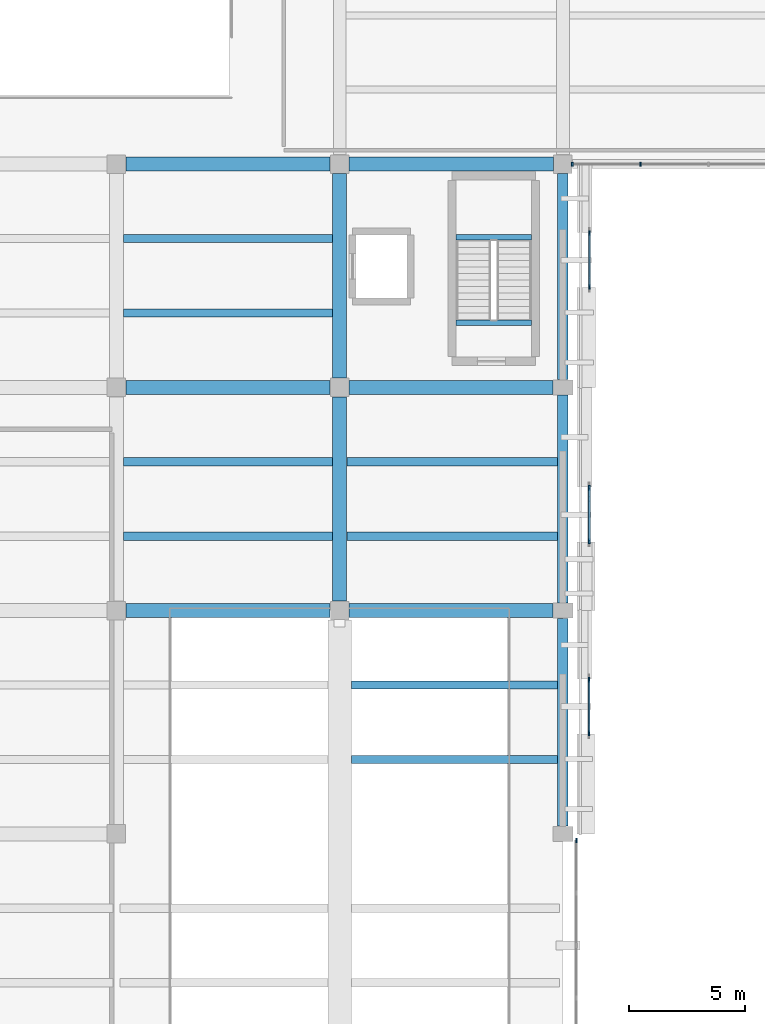
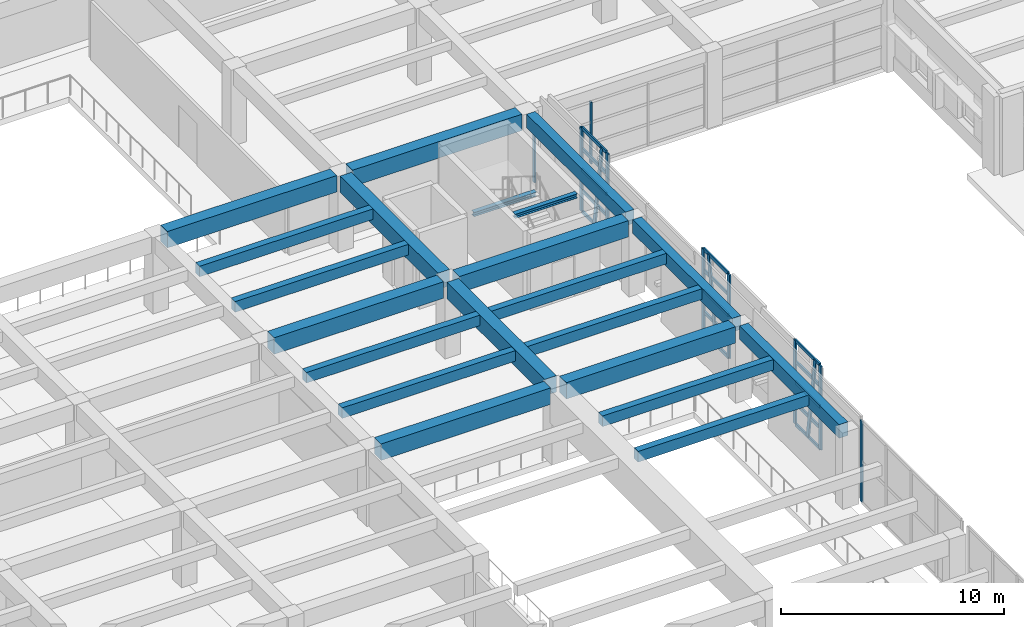
# One storey, part 13 of 49: 27 members, 21 beams, 5 elements without a shape of their own.
"""IFC4 building model written with IfcOpenShell, lengths in metres."""

from ifc_helpers import new_model, si_unit, direction, frame, origin, origin_2d, place, context, subcontext, project, spatial, rectangle, i_section, extrude, material, layer, layer_set, material_profile, profile_set, type_object, element, aggregate, save


model = new_model("IFC4")

# Units and contexts
model_context = context("Model", 3, precision=1e-05, world=origin(), true_north=direction((0.0, 1.0)))
body_context = subcontext(model_context, "Body", "Model", "MODEL_VIEW")
ifc_project = project(units=[si_unit("LENGTHUNIT", "METRE"), si_unit("AREAUNIT", "SQUARE_METRE"), si_unit("VOLUMEUNIT", "CUBIC_METRE"), si_unit("PLANEANGLEUNIT", "RADIAN"), si_unit("MASSUNIT", "GRAM", prefix="KILO")], contexts=[model_context])

# Site, building, storey
site_placement = place(None, origin())
site = spatial("IfcSite", under=ifc_project, at=site_placement, CompositionType="ELEMENT")
building_placement = place(site_placement, origin())
building = spatial("IfcBuilding", under=site, at=building_placement, Name="Bempovik Park Faculty of Sciences", CompositionType="ELEMENT")
storey_placement = place(building_placement, frame((0.0, 0.0, 5.39990234375)))
storey = spatial("IfcBuildingStorey", under=building, at=storey_placement, Name="L01", CompositionType="ELEMENT", Elevation=5.39990234375)

# Beams
ifc_material_1 = material(Name="Steel S355", Category="steel")
ifc_material_profile_1 = material_profile(ifc_material_1, i_section(OverallWidth=0.239990234375, OverallDepth=0.22998046875, WebThickness=0.007568359375, FlangeThickness=0.011962890625, at=origin_2d()), Name="HEA 240")
ifc_profile_set_1 = profile_set([ifc_material_profile_1], Name="Steel S355")
beam_type_1 = type_object("IfcBeamType", Name="B-070 HEA 240", PredefinedType="BEAM", material=ifc_profile_set_1)
for number, where, z_axis, x_axis, name in (
    (1, (113.006103515625, 64.64990234375, 1.93505859375), (1.0, 0.0, 0.0), (0.0, 1.0, 0.0), "L01 ST-5 Half-Landing Trimmer Beam"),
    (2, (113.006103515625, 60.97509765625, 4.065185546875), (1.0, 0.0, 0.0), (0.0, 1.0, 0.0), "L02 ST-5 Floor Landing Trimmer Beam"),
):
    element("IfcBeam", number, at=place(storey_placement, frame(where, z_axis=z_axis, x_axis=x_axis)), inside=storey, type_object=beam_type_1, Name=name, PredefinedType="BEAM", context=body_context, shape_type="SweptSolid", body=[
        extrude(i_section(OverallWidth=0.239990234375, OverallDepth=0.22998046875, WebThickness=0.007568359375, FlangeThickness=0.011962890625, at=origin_2d()), origin(), (0.0, 0.0, 1.0), 3.23779296875),
    ])
ifc_material_2 = material(Name="Concrete C35/45", Category="concrete")
ifc_material_profile_2 = material_profile(ifc_material_2, rectangle(XDim=0.35009765625, YDim=0.580078125, at=origin_2d()), Name="RC 350x580")
ifc_profile_set_2 = profile_set([ifc_material_profile_2], Name="Concrete C35/45")
beam_type_2 = type_object("IfcBeamType", Name="B-107 RC 350x580", PredefinedType="JOIST", material=ifc_profile_set_2)
for number, where, z_axis, x_axis, name in (
    (3, (98.7060546875, 51.800048828125, 3.89013671875), (1.0, 0.0, 0.0), (0.0, 1.0, 0.0), "L01 Secondary Joist (98.4-108.0, y=51.80)"),
    (4, (98.7060546875, 55.0, 3.89013671875), (1.0, 0.0, 0.0), (0.0, 1.0, 0.0), "L01 Secondary Joist (98.4-108.0, y=55.00)"),
    (5, (98.7060546875, 61.39990234375, 3.89013671875), (1.0, 0.0, 0.0), (0.0, 1.0, 0.0), "L01 Secondary Joist (98.4-108.0, y=61.40)"),
    (6, (98.7060546875, 64.60009765625, 3.89013671875), (1.0, 0.0, 0.0), (0.0, 1.0, 0.0), "L01 Secondary Joist (98.4-108.0, y=64.60)"),
):
    element("IfcBeam", number, at=place(storey_placement, frame(where, z_axis=z_axis, x_axis=x_axis)), inside=storey, type_object=beam_type_2, Name=name, PredefinedType="JOIST", context=body_context, shape_type="SweptSolid", body=[
        extrude(rectangle(XDim=0.35009765625, YDim=0.580078125, at=origin_2d()), origin(), (0.0, 0.0, 1.0), 8.988037109375),
    ])
for number, where, z_axis, x_axis, name in (
    (7, (108.506103515625, 42.199951171875, 3.89013671875), (1.0, 0.0, 0.0), (0.0, 1.0, 0.0), "L01 Secondary Joist (108.0-117.6, y=42.20)"),
    (8, (108.506103515625, 45.39990234375, 3.89013671875), (1.0, 0.0, 0.0), (0.0, 1.0, 0.0), "L01 Secondary Joist (108.0-117.6, y=45.40)"),
):
    element("IfcBeam", number, at=place(storey_placement, frame(where, z_axis=z_axis, x_axis=x_axis)), inside=storey, type_object=beam_type_2, Name=name, PredefinedType="JOIST", context=body_context, shape_type="SweptSolid", body=[
        extrude(rectangle(XDim=0.35009765625, YDim=0.580078125, at=origin_2d()), origin(), (0.0, 0.0, 1.0), 8.86279296875),
    ])
for number, where, z_axis, x_axis, name in (
    (9, (108.305908203125, 51.800048828125, 3.89013671875), (1.0, 0.0, 0.0), (0.0, 1.0, 0.0), "L01 Secondary Joist (108.0-117.6, y=51.80)"),
    (10, (108.305908203125, 55.0, 3.89013671875), (1.0, 0.0, 0.0), (0.0, 1.0, 0.0), "L01 Secondary Joist (108.0-117.6, y=55.00)"),
):
    element("IfcBeam", number, at=place(storey_placement, frame(where, z_axis=z_axis, x_axis=x_axis)), inside=storey, type_object=beam_type_2, Name=name, PredefinedType="JOIST", context=body_context, shape_type="SweptSolid", body=[
        extrude(rectangle(XDim=0.35009765625, YDim=0.580078125, at=origin_2d()), origin(), (0.0, 0.0, 1.0), 9.06298828125),
    ])
ifc_material_3 = material(Name="Concrete C40/50", Category="concrete")
ifc_material_profile_3 = material_profile(ifc_material_3, rectangle(XDim=0.60009765625, YDim=0.89990234375, at=origin_2d()), Name="RC 600x900")
ifc_profile_set_3 = profile_set([ifc_material_profile_3], Name="Concrete C40/50")
beam_type_3 = type_object("IfcBeamType", Name="B-115 RC 600x900", PredefinedType="BEAM", material=ifc_profile_set_3)
beam_1_placement = place(storey_placement, frame((98.805908203125, 48.60009765625, 3.72998046875), z_axis=(1.0, 0.0, 0.0), x_axis=(0.0, 1.0, 0.0)))
element("IfcBeam", 11, at=beam_1_placement, inside=storey, type_object=beam_type_3, Name="L01 Beam X (98.4-108.0, y=48.6)", PredefinedType="BEAM", context=body_context, shape_type="SweptSolid", body=[
    extrude(rectangle(XDim=0.60009765625, YDim=0.89990234375, at=origin_2d()), origin(), (0.0, 0.0, 1.0), 8.7880859375),
])
beam_2_placement = place(storey_placement, frame((108.406005859375, 48.60009765625, 3.72998046875), z_axis=(1.0, 0.0, 0.0), x_axis=(0.0, 1.0, 0.0)))
element("IfcBeam", 12, at=beam_2_placement, inside=storey, type_object=beam_type_3, Name="L01 Beam X (108.0-117.6, y=48.6)", PredefinedType="BEAM", context=body_context, shape_type="SweptSolid", body=[
    extrude(rectangle(XDim=0.60009765625, YDim=0.89990234375, at=origin_2d()), origin(), (0.0, 0.0, 1.0), 8.762939453125),
])
beam_3_placement = place(storey_placement, frame((98.805908203125, 58.199951171875, 3.72998046875), z_axis=(1.0, 0.0, 0.0), x_axis=(0.0, 1.0, 0.0)))
element("IfcBeam", 13, at=beam_3_placement, inside=storey, type_object=beam_type_3, Name="L01 Beam X (98.4-108.0, y=58.2)", PredefinedType="BEAM", context=body_context, shape_type="SweptSolid", body=[
    extrude(rectangle(XDim=0.60009765625, YDim=0.89990234375, at=origin_2d()), origin(), (0.0, 0.0, 1.0), 8.7880859375),
])
beam_4_placement = place(storey_placement, frame((108.406005859375, 58.199951171875, 3.72998046875), z_axis=(1.0, 0.0, 0.0), x_axis=(0.0, 1.0, 0.0)))
element("IfcBeam", 14, at=beam_4_placement, inside=storey, type_object=beam_type_3, Name="L01 Beam X (108.0-117.6, y=58.2)", PredefinedType="BEAM", context=body_context, shape_type="SweptSolid", body=[
    extrude(rectangle(XDim=0.60009765625, YDim=0.89990234375, at=origin_2d()), origin(), (0.0, 0.0, 1.0), 8.762939453125),
])
for number, where, z_axis, x_axis, name in (
    (15, (98.805908203125, 67.800048828125, 3.72998046875), (1.0, 0.0, 0.0), (0.0, 1.0, 0.0), "L01 Beam X (98.4-108.0, y=67.8)"),
    (16, (108.406005859375, 67.800048828125, 3.72998046875), (1.0, 0.0, 0.0), (0.0, 1.0, 0.0), "L01 Beam X (108.0-117.6, y=67.8)"),
):
    element("IfcBeam", number, at=place(storey_placement, frame(where, z_axis=z_axis, x_axis=x_axis)), inside=storey, type_object=beam_type_3, Name=name, PredefinedType="BEAM", context=body_context, shape_type="SweptSolid", body=[
        extrude(rectangle(XDim=0.60009765625, YDim=0.89990234375, at=origin_2d()), origin(), (0.0, 0.0, 1.0), 8.7880859375),
    ])
beam_5_placement = place(storey_placement, frame((108.0, 49.006103515625, 3.72998046875), z_axis=(0.0, 1.0, 0.0), x_axis=(-1.0, 0.0, 0.0)))
element("IfcBeam", 17, at=beam_5_placement, inside=storey, type_object=beam_type_3, Name="L01 Beam Y (x=108.0, 48.6-58.2)", PredefinedType="BEAM", context=body_context, shape_type="SweptSolid", body=[
    extrude(rectangle(XDim=0.60009765625, YDim=0.89990234375, at=origin_2d()), origin(), (0.0, 0.0, 1.0), 8.787841796875),
])
beam_6_placement = place(storey_placement, frame((108.0, 58.60595703125, 3.72998046875), z_axis=(0.0, 1.0, 0.0), x_axis=(-1.0, 0.0, 0.0)))
element("IfcBeam", 18, at=beam_6_placement, inside=storey, type_object=beam_type_3, Name="L01 Beam Y (x=108.0, 58.2-67.8)", PredefinedType="BEAM", context=body_context, shape_type="SweptSolid", body=[
    extrude(rectangle(XDim=0.60009765625, YDim=0.89990234375, at=origin_2d()), origin(), (0.0, 0.0, 1.0), 8.7880859375),
])
ifc_material_profile_4 = material_profile(ifc_material_3, rectangle(XDim=0.449951171875, YDim=0.75, at=origin_2d()), Name="RC 450x750")
ifc_profile_set_4 = profile_set([ifc_material_profile_4], Name="Concrete C40/50")
beam_type_4 = type_object("IfcBeamType", Name="B-130 RC 450x750", PredefinedType="SPANDREL", material=ifc_profile_set_4)
for number, where, z_axis, x_axis, name in (
    (19, (117.60009765625, 39.3310546875, 3.80517578125), (0.0, 1.0, 0.0), (-1.0, 0.0, 0.0), "L01 Beam Y (x=117.6, 39.0-48.6)"),
    (20, (117.60009765625, 48.930908203125, 3.80517578125), (0.0, 1.0, 0.0), (-1.0, 0.0, 0.0), "L01 Beam Y (x=117.6, 48.6-58.2)"),
):
    element("IfcBeam", number, at=place(storey_placement, frame(where, z_axis=z_axis, x_axis=x_axis)), inside=storey, type_object=beam_type_4, Name=name, PredefinedType="SPANDREL", context=body_context, shape_type="SweptSolid", body=[
        extrude(rectangle(XDim=0.449951171875, YDim=0.75, at=origin_2d()), origin(), (0.0, 0.0, 1.0), 8.93798828125),
    ])
beam_7_placement = place(storey_placement, frame((117.60009765625, 58.531005859375, 3.80517578125), z_axis=(0.0, 1.0, 0.0), x_axis=(-1.0, 0.0, 0.0)))
element("IfcBeam", 21, at=beam_7_placement, inside=storey, type_object=beam_type_4, Name="L01 Beam Y (x=117.6, 58.2-67.8)", PredefinedType="SPANDREL", context=body_context, shape_type="SweptSolid", body=[
    extrude(rectangle(XDim=0.449951171875, YDim=0.75, at=origin_2d()), origin(), (0.0, 0.0, 1.0), 8.863037109375),
])

# Curtain wall, members
ifc_material_4 = material(Name="Tempered laminated low-E glass", Category="glass")
ifc_layer_1 = layer(ifc_material_4, 0.159912109375)
ifc_layer_set_1 = layer_set([ifc_layer_1], Name="Tempered laminated low-E glass")
curtain_wall_type_1 = type_object("IfcCurtainWallType", Name="CW-52 Curtain 6600x4100", PredefinedType="USERDEFINED", material=ifc_layer_set_1)
curtain_wall_1_placement = place(storey_placement, origin())
curtain_wall_1 = element("IfcCurtainWall", 22, at=curtain_wall_1_placement, inside=storey, type_object=curtain_wall_type_1, Name="L01 Unitised Curtain Wall (67.8,117.6)", ObjectType="UNITISED CURTAIN WALL", PredefinedType="USERDEFINED")
ifc_material_5 = material(Name="Anodised architectural bronze", Category="aluminium")
ifc_material_profile_5 = material_profile(ifc_material_5, rectangle(XDim=0.06494140625, YDim=0.169921875, at=origin_2d()), Name="ALU-M 65x170")
ifc_profile_set_5 = profile_set([ifc_material_profile_5], Name="Anodised architectural bronze")
member_type_1 = type_object("IfcMemberType", Name="ML-15 ALU-M 65x170", PredefinedType="MULLION", material=ifc_profile_set_5)
member_1_placement = place(storey_placement, frame((118.001953125, 67.800048828125, 0.0), z_axis=(0.0, 0.0, 1.0), x_axis=(1.0, 0.0, 0.0)))
member_1 = element("IfcMember", 23, at=member_1_placement, type_object=member_type_1, Name="CW-BAY-L01-678-1176 Mullion 0", PredefinedType="MULLION", context=body_context, shape_type="SweptSolid", body=[
    extrude(rectangle(XDim=0.06494140625, YDim=0.169921875, at=origin_2d()), origin(), (0.0, 0.0, 1.0), 3.380126953125),
])
member_2_placement = place(storey_placement, frame((120.93408203125, 67.800048828125, 0.0), z_axis=(0.0, 0.0, 1.0), x_axis=(1.0, 0.0, 0.0)))
member_2 = element("IfcMember", 24, at=member_2_placement, type_object=member_type_1, Name="CW-BAY-L01-678-1176 Mullion 1", PredefinedType="MULLION", context=body_context, shape_type="SweptSolid", body=[
    extrude(rectangle(XDim=0.06494140625, YDim=0.169921875, at=origin_2d()), origin(), (0.0, 0.0, 1.0), 3.380126953125),
])
aggregate(curtain_wall_1, [member_1, member_2])

# Curtain wall, member
ifc_layer_2 = layer(ifc_material_4, 0.159912109375)
ifc_layer_set_2 = layer_set([ifc_layer_2], Name="Tempered laminated low-E glass")
curtain_wall_type_2 = type_object("IfcCurtainWallType", Name="CW-48 Curtain 7200x4200", PredefinedType="USERDEFINED", material=ifc_layer_set_2)
curtain_wall_2_placement = place(storey_placement, origin())
curtain_wall_2 = element("IfcCurtainWall", 25, at=curtain_wall_2_placement, inside=storey, type_object=curtain_wall_type_2, Name="L01 Recessed Entrance Foyer Curtain Wall (29.4-39.0)", ObjectType="UNITISED CURTAIN WALL", PredefinedType="USERDEFINED")
ifc_material_profile_6 = material_profile(ifc_material_5, rectangle(XDim=0.074951171875, YDim=0.199951171875, at=origin_2d()), Name="ALU-M 75x200")
ifc_profile_set_6 = profile_set([ifc_material_profile_6], Name="Anodised architectural bronze")
member_type_2 = type_object("IfcMemberType", Name="ML-17 ALU-M 75x200", PredefinedType="MULLION", material=ifc_profile_set_6)
member_3_placement = place(storey_placement, frame((118.179931640625, 38.712890625, 0.080078125), z_axis=(0.0, 0.0, 1.0), x_axis=(1.0, 0.0, 0.0)))
member_3 = element("IfcMember", 26, at=member_3_placement, type_object=member_type_2, Name="CW-FOY-L01-1176-294 Mullion 4", PredefinedType="MULLION", context=body_context, shape_type="SweptSolid", body=[
    extrude(rectangle(XDim=0.074951171875, YDim=0.199951171875, at=origin_2d()), origin(), (0.0, 0.0, 1.0), 4.419921875),
])
aggregate(curtain_wall_2, [member_3])

# Curtain wall, members
ifc_layer_3 = layer(ifc_material_4, 0.159912109375)
ifc_layer_set_3 = layer_set([ifc_layer_3], Name="Tempered laminated low-E glass")
curtain_wall_type_3 = type_object("IfcCurtainWallType", Name="CW-59 Curtain 2400x4500", PredefinedType="USERDEFINED", material=ifc_layer_set_3)
curtain_wall_3_placement = place(storey_placement, origin())
curtain_wall_3 = element("IfcCurtainWall", 27, at=curtain_wall_3_placement, inside=storey, type_object=curtain_wall_type_3, Name="L01 Crystal Slantwise Light Fold (117.6,39.0)", ObjectType="UNITISED CURTAIN WALL", PredefinedType="USERDEFINED")
ifc_material_profile_7 = material_profile(ifc_material_5, rectangle(XDim=0.080078125, YDim=0.219970703125, at=origin_2d()), Name="ALU-M 80x220")
ifc_profile_set_7 = profile_set([ifc_material_profile_7], Name="Anodised architectural bronze")
member_type_3 = type_object("IfcMemberType", Name="ML-29 ALU-M 80x220", PredefinedType="MULLION", material=ifc_profile_set_7)
member_4_placement = place(storey_placement, frame((118.722900390625, 43.324951171875, -0.039794921875), z_axis=(0.0, 0.0, 1.0), x_axis=(1.0, 0.0, 0.0)))
member_4 = element("IfcMember", 28, at=member_4_placement, type_object=member_type_3, Name="CW-FOLD-L01-1176-390 Mullion 0", PredefinedType="MULLION", context=body_context, shape_type="SweptSolid", body=[
    extrude(rectangle(XDim=0.080078125, YDim=0.219970703125, at=origin_2d()), origin(), (0.0, 0.0, 1.0), 4.579833984375),
])
member_5_placement = place(storey_placement, frame((118.722900390625, 44.47509765625, -0.039794921875), z_axis=(0.0, -0.146904097302, 0.989150739875), x_axis=(1.0, 0.0, 0.0)))
member_5 = element("IfcMember", 29, at=member_5_placement, type_object=member_type_3, Name="CW-FOLD-L01-1176-390 Mullion 1", PredefinedType="MULLION", context=body_context, shape_type="SweptSolid", body=[
    extrude(rectangle(XDim=0.080078125, YDim=0.219970703125, at=origin_2d()), origin(), (0.0, 0.0, 1.0), 4.630126953125),
])
member_6_placement = place(storey_placement, frame((118.722900390625, 45.625, -0.039794921875), z_axis=(0.0, 0.0, 1.0), x_axis=(1.0, 0.0, 0.0)))
member_6 = element("IfcMember", 30, at=member_6_placement, type_object=member_type_3, Name="CW-FOLD-L01-1176-390 Mullion 2", PredefinedType="MULLION", context=body_context, shape_type="SweptSolid", body=[
    extrude(rectangle(XDim=0.080078125, YDim=0.219970703125, at=origin_2d()), origin(), (0.0, 0.0, 1.0), 4.579833984375),
])

curtain_wall_4_placement = place(storey_placement, origin())
curtain_wall_4 = element("IfcCurtainWall", 31, at=curtain_wall_4_placement, inside=storey, type_object=curtain_wall_type_3, Name="L01 Crystal Slantwise Light Fold (117.6,48.6)", ObjectType="UNITISED CURTAIN WALL", PredefinedType="USERDEFINED")
member_7_placement = place(storey_placement, frame((118.73876953125, 51.574951171875, -0.039794921875), z_axis=(0.0, 0.0, 1.0), x_axis=(1.0, 0.0, 0.0)))
member_7 = element("IfcMember", 32, at=member_7_placement, type_object=member_type_3, Name="CW-FOLD-L01-1176-486 Mullion 0", PredefinedType="MULLION", context=body_context, shape_type="SweptSolid", body=[
    extrude(rectangle(XDim=0.080078125, YDim=0.219970703125, at=origin_2d()), origin(), (0.0, 0.0, 1.0), 4.579833984375),
])
member_8_placement = place(storey_placement, frame((118.73876953125, 52.72509765625, -0.039794921875), z_axis=(0.0, 0.14685250525, 0.989158400713), x_axis=(-1.0, 0.0, 0.0)))
member_8 = element("IfcMember", 33, at=member_8_placement, type_object=member_type_3, Name="CW-FOLD-L01-1176-486 Mullion 1", PredefinedType="MULLION", context=body_context, shape_type="SweptSolid", body=[
    extrude(rectangle(XDim=0.080078125, YDim=0.219970703125, at=origin_2d()), origin(), (0.0, 0.0, 1.0), 4.630126953125),
])
member_9_placement = place(storey_placement, frame((118.73876953125, 53.875, -0.039794921875), z_axis=(0.0, 0.0, 1.0), x_axis=(1.0, 0.0, 0.0)))
member_9 = element("IfcMember", 34, at=member_9_placement, type_object=member_type_3, Name="CW-FOLD-L01-1176-486 Mullion 2", PredefinedType="MULLION", context=body_context, shape_type="SweptSolid", body=[
    extrude(rectangle(XDim=0.080078125, YDim=0.219970703125, at=origin_2d()), origin(), (0.0, 0.0, 1.0), 4.579833984375),
])

curtain_wall_5_placement = place(storey_placement, origin())
curtain_wall_5 = element("IfcCurtainWall", 35, at=curtain_wall_5_placement, inside=storey, type_object=curtain_wall_type_3, Name="L01 Crystal Slantwise Light Fold (117.6,58.2)", ObjectType="UNITISED CURTAIN WALL", PredefinedType="USERDEFINED")
member_10_placement = place(storey_placement, frame((118.74658203125, 62.52490234375, -0.039794921875), z_axis=(0.0, 0.0, 1.0), x_axis=(1.0, 0.0, 0.0)))
member_10 = element("IfcMember", 36, at=member_10_placement, type_object=member_type_3, Name="CW-FOLD-L01-1176-582 Mullion 0", PredefinedType="MULLION", context=body_context, shape_type="SweptSolid", body=[
    extrude(rectangle(XDim=0.080078125, YDim=0.219970703125, at=origin_2d()), origin(), (0.0, 0.0, 1.0), 4.579833984375),
])
member_11_placement = place(storey_placement, frame((118.74658203125, 63.675048828125, -0.039794921875), z_axis=(0.0, -0.14685250525, 0.989158400713), x_axis=(1.0, 0.0, 0.0)))
member_11 = element("IfcMember", 37, at=member_11_placement, type_object=member_type_3, Name="CW-FOLD-L01-1176-582 Mullion 1", PredefinedType="MULLION", context=body_context, shape_type="SweptSolid", body=[
    extrude(rectangle(XDim=0.080078125, YDim=0.219970703125, at=origin_2d()), origin(), (0.0, 0.0, 1.0), 4.630126953125),
])
member_12_placement = place(storey_placement, frame((118.74658203125, 64.824951171875, -0.039794921875), z_axis=(0.0, 0.0, 1.0), x_axis=(1.0, 0.0, 0.0)))
member_12 = element("IfcMember", 38, at=member_12_placement, type_object=member_type_3, Name="CW-FOLD-L01-1176-582 Mullion 2", PredefinedType="MULLION", context=body_context, shape_type="SweptSolid", body=[
    extrude(rectangle(XDim=0.080078125, YDim=0.219970703125, at=origin_2d()), origin(), (0.0, 0.0, 1.0), 4.579833984375),
])

# Member
ifc_material_profile_8 = material_profile(ifc_material_5, rectangle(XDim=0.080078125, YDim=0.179931640625, at=origin_2d()), Name="ALU-T 80x180")
ifc_profile_set_8 = profile_set([ifc_material_profile_8], Name="Anodised architectural bronze")
member_type_4 = type_object("IfcMemberType", Name="TR-29 ALU-T 80x180", PredefinedType="USERDEFINED", material=ifc_profile_set_8)
member_13_placement = place(storey_placement, frame((118.722900390625, 43.364990234375, -0.039794921875), z_axis=(0.0, 1.0, 0.0), x_axis=(-1.0, 0.0, 0.0)))
member_13 = element("IfcMember", 39, at=member_13_placement, type_object=member_type_4, Name="CW-FOLD-L01-1176-390 Transom 0", ObjectType="TRANSOM", PredefinedType="USERDEFINED", context=body_context, shape_type="SweptSolid", body=[
    extrude(rectangle(XDim=0.080078125, YDim=0.179931640625, at=origin_2d()), origin(), (0.0, 0.0, 1.0), 2.219970703125),
])

member_14_placement = place(storey_placement, frame((118.722900390625, 43.364990234375, 1.10498046875), z_axis=(0.0, 1.0, 0.0), x_axis=(-1.0, 0.0, 0.0)))
member_14 = element("IfcMember", 40, at=member_14_placement, type_object=member_type_4, Name="CW-FOLD-L01-1176-390 Transom 1", ObjectType="TRANSOM", PredefinedType="USERDEFINED", context=body_context, shape_type="SweptSolid", body=[
    extrude(rectangle(XDim=0.080078125, YDim=0.179931640625, at=origin_2d()), origin(), (0.0, 0.0, 1.0), 2.219970703125),
])

member_15_placement = place(storey_placement, frame((118.722900390625, 43.364990234375, 2.25), z_axis=(0.0, 1.0, 0.0), x_axis=(-1.0, 0.0, 0.0)))
member_15 = element("IfcMember", 41, at=member_15_placement, type_object=member_type_4, Name="CW-FOLD-L01-1176-390 Transom 2", ObjectType="TRANSOM", PredefinedType="USERDEFINED", context=body_context, shape_type="SweptSolid", body=[
    extrude(rectangle(XDim=0.080078125, YDim=0.179931640625, at=origin_2d()), origin(), (0.0, 0.0, 1.0), 2.219970703125),
])

member_16_placement = place(storey_placement, frame((118.722900390625, 43.364990234375, 3.39501953125), z_axis=(0.0, 1.0, 0.0), x_axis=(-1.0, 0.0, 0.0)))
member_16 = element("IfcMember", 42, at=member_16_placement, type_object=member_type_4, Name="CW-FOLD-L01-1176-390 Transom 3", ObjectType="TRANSOM", PredefinedType="USERDEFINED", context=body_context, shape_type="SweptSolid", body=[
    extrude(rectangle(XDim=0.080078125, YDim=0.179931640625, at=origin_2d()), origin(), (0.0, 0.0, 1.0), 2.219970703125),
])

member_17_placement = place(storey_placement, frame((118.722900390625, 43.364990234375, 4.5400390625), z_axis=(0.0, 1.0, 0.0), x_axis=(-1.0, 0.0, 0.0)))
member_17 = element("IfcMember", 43, at=member_17_placement, type_object=member_type_4, Name="CW-FOLD-L01-1176-390 Transom 4", ObjectType="TRANSOM", PredefinedType="USERDEFINED", context=body_context, shape_type="SweptSolid", body=[
    extrude(rectangle(XDim=0.080078125, YDim=0.179931640625, at=origin_2d()), origin(), (0.0, 0.0, 1.0), 2.219970703125),
])

aggregate(curtain_wall_3, [member_4, member_5, member_6, member_13, member_14, member_15, member_16, member_17])

member_18_placement = place(storey_placement, frame((118.73876953125, 51.614990234375, -0.039794921875), z_axis=(0.0, 1.0, 0.0), x_axis=(-1.0, 0.0, 0.0)))
member_18 = element("IfcMember", 44, at=member_18_placement, type_object=member_type_4, Name="CW-FOLD-L01-1176-486 Transom 0", ObjectType="TRANSOM", PredefinedType="USERDEFINED", context=body_context, shape_type="SweptSolid", body=[
    extrude(rectangle(XDim=0.080078125, YDim=0.179931640625, at=origin_2d()), origin(), (0.0, 0.0, 1.0), 2.219970703125),
])

member_19_placement = place(storey_placement, frame((118.73876953125, 51.614990234375, 1.10498046875), z_axis=(0.0, 1.0, 0.0), x_axis=(-1.0, 0.0, 0.0)))
member_19 = element("IfcMember", 45, at=member_19_placement, type_object=member_type_4, Name="CW-FOLD-L01-1176-486 Transom 1", ObjectType="TRANSOM", PredefinedType="USERDEFINED", context=body_context, shape_type="SweptSolid", body=[
    extrude(rectangle(XDim=0.080078125, YDim=0.179931640625, at=origin_2d()), origin(), (0.0, 0.0, 1.0), 2.219970703125),
])

member_20_placement = place(storey_placement, frame((118.73876953125, 51.614990234375, 2.25), z_axis=(0.0, 1.0, 0.0), x_axis=(-1.0, 0.0, 0.0)))
member_20 = element("IfcMember", 46, at=member_20_placement, type_object=member_type_4, Name="CW-FOLD-L01-1176-486 Transom 2", ObjectType="TRANSOM", PredefinedType="USERDEFINED", context=body_context, shape_type="SweptSolid", body=[
    extrude(rectangle(XDim=0.080078125, YDim=0.179931640625, at=origin_2d()), origin(), (0.0, 0.0, 1.0), 2.219970703125),
])

member_21_placement = place(storey_placement, frame((118.73876953125, 51.614990234375, 3.39501953125), z_axis=(0.0, 1.0, 0.0), x_axis=(-1.0, 0.0, 0.0)))
member_21 = element("IfcMember", 47, at=member_21_placement, type_object=member_type_4, Name="CW-FOLD-L01-1176-486 Transom 3", ObjectType="TRANSOM", PredefinedType="USERDEFINED", context=body_context, shape_type="SweptSolid", body=[
    extrude(rectangle(XDim=0.080078125, YDim=0.179931640625, at=origin_2d()), origin(), (0.0, 0.0, 1.0), 2.219970703125),
])

member_22_placement = place(storey_placement, frame((118.73876953125, 51.614990234375, 4.5400390625), z_axis=(0.0, 1.0, 0.0), x_axis=(-1.0, 0.0, 0.0)))
member_22 = element("IfcMember", 48, at=member_22_placement, type_object=member_type_4, Name="CW-FOLD-L01-1176-486 Transom 4", ObjectType="TRANSOM", PredefinedType="USERDEFINED", context=body_context, shape_type="SweptSolid", body=[
    extrude(rectangle(XDim=0.080078125, YDim=0.179931640625, at=origin_2d()), origin(), (0.0, 0.0, 1.0), 2.219970703125),
])

aggregate(curtain_wall_4, [member_7, member_8, member_9, member_18, member_19, member_20, member_21, member_22])

member_23_placement = place(storey_placement, frame((118.74658203125, 62.56494140625, -0.039794921875), z_axis=(0.0, 1.0, 0.0), x_axis=(-1.0, 0.0, 0.0)))
member_23 = element("IfcMember", 49, at=member_23_placement, type_object=member_type_4, Name="CW-FOLD-L01-1176-582 Transom 0", ObjectType="TRANSOM", PredefinedType="USERDEFINED", context=body_context, shape_type="SweptSolid", body=[
    extrude(rectangle(XDim=0.080078125, YDim=0.179931640625, at=origin_2d()), origin(), (0.0, 0.0, 1.0), 2.219970703125),
])

member_24_placement = place(storey_placement, frame((118.74658203125, 62.56494140625, 1.10498046875), z_axis=(0.0, 1.0, 0.0), x_axis=(-1.0, 0.0, 0.0)))
member_24 = element("IfcMember", 50, at=member_24_placement, type_object=member_type_4, Name="CW-FOLD-L01-1176-582 Transom 1", ObjectType="TRANSOM", PredefinedType="USERDEFINED", context=body_context, shape_type="SweptSolid", body=[
    extrude(rectangle(XDim=0.080078125, YDim=0.179931640625, at=origin_2d()), origin(), (0.0, 0.0, 1.0), 2.219970703125),
])

member_25_placement = place(storey_placement, frame((118.74658203125, 62.56494140625, 2.25), z_axis=(0.0, 1.0, 0.0), x_axis=(-1.0, 0.0, 0.0)))
member_25 = element("IfcMember", 51, at=member_25_placement, type_object=member_type_4, Name="CW-FOLD-L01-1176-582 Transom 2", ObjectType="TRANSOM", PredefinedType="USERDEFINED", context=body_context, shape_type="SweptSolid", body=[
    extrude(rectangle(XDim=0.080078125, YDim=0.179931640625, at=origin_2d()), origin(), (0.0, 0.0, 1.0), 2.219970703125),
])

member_26_placement = place(storey_placement, frame((118.74658203125, 62.56494140625, 3.39501953125), z_axis=(0.0, 1.0, 0.0), x_axis=(-1.0, 0.0, 0.0)))
member_26 = element("IfcMember", 52, at=member_26_placement, type_object=member_type_4, Name="CW-FOLD-L01-1176-582 Transom 3", ObjectType="TRANSOM", PredefinedType="USERDEFINED", context=body_context, shape_type="SweptSolid", body=[
    extrude(rectangle(XDim=0.080078125, YDim=0.179931640625, at=origin_2d()), origin(), (0.0, 0.0, 1.0), 2.219970703125),
])

member_27_placement = place(storey_placement, frame((118.74658203125, 62.56494140625, 4.5400390625), z_axis=(0.0, 1.0, 0.0), x_axis=(-1.0, 0.0, 0.0)))
member_27 = element("IfcMember", 53, at=member_27_placement, type_object=member_type_4, Name="CW-FOLD-L01-1176-582 Transom 4", ObjectType="TRANSOM", PredefinedType="USERDEFINED", context=body_context, shape_type="SweptSolid", body=[
    extrude(rectangle(XDim=0.080078125, YDim=0.179931640625, at=origin_2d()), origin(), (0.0, 0.0, 1.0), 2.219970703125),
])

aggregate(curtain_wall_5, [member_10, member_11, member_12, member_23, member_24, member_25, member_26, member_27])

save(model, "model.ifc")
